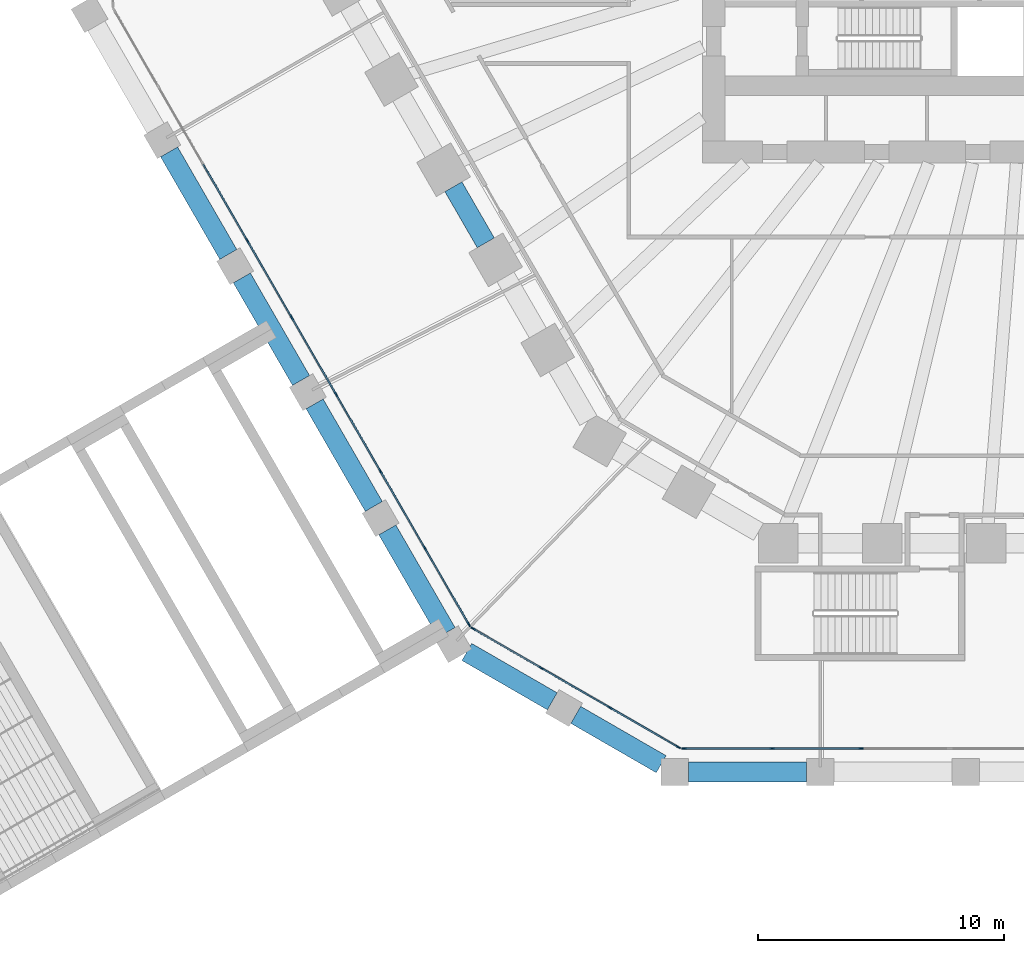
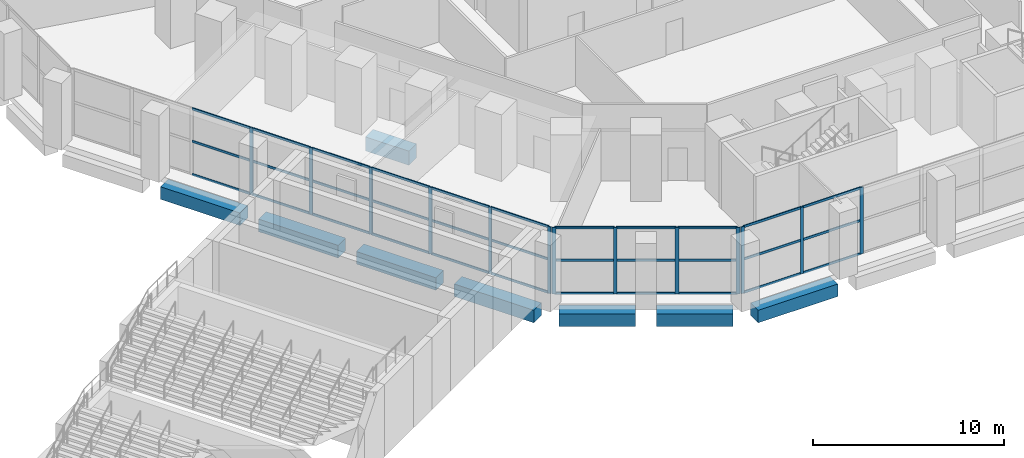
# One storey, part 2 of 38: 46 members, 8 beams, 3 elements without a shape of their own.
"""IFC4 building model written with IfcOpenShell, lengths in metres."""

import ifcopenshell
import ifcopenshell.guid

model = None  # the IFC model being written
_history = None  # IfcOwnerHistory: only IFC2X3 demands one
_inside = {}  # id of a spatial element -> (the spatial element, [elements in it])
_under = {}  # id of a project, library or spatial element -> (it, [spatial elements below it])
_declared = {}  # id of a project -> (the project, [libraries it declares])
_typed = {}  # id of a type object -> (the type object, [elements of that type])
_made_of = {}  # id of a material, layer set ... -> (it, [elements and type objects made of it])


def new_model(schema):
    """Start an empty IFC model of exactly this schema.

    Asked for "IFC4X3", IfcOpenShell would pick the latest addendum, in which some entities
    have other attributes; the version numbers below select the first issue.
    IFC2X3 requires an IfcOwnerHistory on every rooted entity: one is made here for all.
    """
    global model, _history
    if schema == "IFC4X3":
        model = ifcopenshell.file(schema_version=(4, 3, 0, 0))
    else:
        model = ifcopenshell.file(schema=schema)
    _inside.clear()
    _under.clear()
    _declared.clear()
    _typed.clear()
    _made_of.clear()
    _history = None
    if model.schema == "IFC2X3":
        org = make("IfcOrganization", Name="unknown")
        user = make(
            "IfcPersonAndOrganization",
            ThePerson=make("IfcPerson", FamilyName="unknown"),
            TheOrganization=org,
        )
        app = make(
            "IfcApplication",
            ApplicationDeveloper=org,
            Version="unknown",
            ApplicationFullName="unknown",
            ApplicationIdentifier="unknown",
        )
        _history = make(
            "IfcOwnerHistory",
            OwningUser=user,
            OwningApplication=app,
            ChangeAction="ADDED",
            CreationDate=0,
        )
    return model


def make(cls, **values):
    """One entity of the class cls with the attributes given. An attribute that is None is left unset."""
    return model.create_entity(
        cls, **{name: value for name, value in values.items() if value is not None}
    )


def rooted(cls, **values):
    """An entity with a GlobalId (a new one), such as an element, a storey or a relation."""
    return make(cls, GlobalId=ifcopenshell.guid.new(), OwnerHistory=_history, **values)


def si_unit(unit_type, name, prefix=None):
    """IfcSIUnit, for example si_unit("LENGTHUNIT", "METRE", prefix="MILLI")."""
    return make("IfcSIUnit", UnitType=unit_type, Prefix=prefix, Name=name)


def assignment(units):
    """IfcUnitAssignment: the units of a project."""
    return None if units is None else make("IfcUnitAssignment", Units=units)


def point(xyz):
    """IfcCartesianPoint."""
    return None if xyz is None else make("IfcCartesianPoint", Coordinates=xyz)


def direction(xyz):
    """IfcDirection."""
    return None if xyz is None else make("IfcDirection", DirectionRatios=xyz)


def frame(location, z_axis=None, x_axis=None):
    """IfcAxis2Placement3D, a coordinate frame: its origin and axes. An axis left out is left unset."""
    return make(
        "IfcAxis2Placement3D",
        Location=point(location),
        Axis=direction(z_axis),
        RefDirection=direction(x_axis),
    )


def frame_2d(location, x_axis=None):
    """IfcAxis2Placement2D, a coordinate frame in the plane: its origin and x axis."""
    return make(
        "IfcAxis2Placement2D", Location=point(location), RefDirection=direction(x_axis)
    )


def origin():
    """The frame at (0, 0, 0) with its axes left unset."""
    return frame((0.0, 0.0, 0.0))


def origin_2d():
    """The frame at (0, 0) in the plane with its x axis left unset."""
    return frame_2d((0.0, 0.0))


def place(relative_to, where):
    """IfcLocalPlacement: puts the frame where relative to a parent placement (None: the world)."""
    return make(
        "IfcLocalPlacement", PlacementRelTo=relative_to, RelativePlacement=where
    )


def context(
    kind, dimensions, precision=None, world=None, true_north=None, identifier=None
):
    """IfcGeometricRepresentationContext, for example the 3D "Model" context."""
    return make(
        "IfcGeometricRepresentationContext",
        ContextIdentifier=identifier,
        ContextType=kind,
        CoordinateSpaceDimension=dimensions,
        Precision=precision,
        WorldCoordinateSystem=world,
        TrueNorth=true_north,
    )


def subcontext(parent, identifier, kind, view, scale=None):
    """IfcGeometricRepresentationSubContext, for example "Body" below "Model"."""
    return make(
        "IfcGeometricRepresentationSubContext",
        ContextIdentifier=identifier,
        ContextType=kind,
        ParentContext=parent,
        TargetScale=scale,
        TargetView=view,
    )


def project(units=None, contexts=None):
    """IfcProject with its units and contexts."""
    return rooted(
        "IfcProject",
        Name="project",
        RepresentationContexts=contexts,
        UnitsInContext=assignment(units),
    )


def spatial(cls, under=None, at=None, **own):
    """A site, building, storey or space (cls), placed at a placement, below another one or the project."""
    s = rooted(cls, ObjectPlacement=at, **own)
    if under is not None:
        _under.setdefault(under.id(), (under, []))[1].append(s)
    return s


def profile(cls, at=None, kind="AREA", **sizes):
    """A parametric profile (cls). Its sizes go by their IFC names, for example OverallWidth=200.0."""
    return make(cls, ProfileType=kind, Position=at, **sizes)


def rectangle(**sizes):
    """IfcRectangleProfileDef."""
    return profile("IfcRectangleProfileDef", **sizes)


def extrude(swept, where, along, depth):
    """IfcExtrudedAreaSolid: the profile swept, set in the frame where, extruded along a direction by depth."""
    return make(
        "IfcExtrudedAreaSolid",
        SweptArea=swept,
        Position=where,
        ExtrudedDirection=direction(along),
        Depth=depth,
    )


def shape(context_of_items, identifier, shape_type, items):
    """IfcShapeRepresentation: the items that make up one representation, for example the "Body"."""
    return make(
        "IfcShapeRepresentation",
        ContextOfItems=context_of_items,
        RepresentationIdentifier=identifier,
        RepresentationType=shape_type,
        Items=items,
    )


def material(Name=None, Category=None):
    """IfcMaterial."""
    return make("IfcMaterial", Name=Name, Category=Category)


def material_profile(
    of_material, cross_section, Name=None, Category=None, Priority=None
):
    """IfcMaterialProfile: a cross section and its material."""
    return make(
        "IfcMaterialProfile",
        Name=Name,
        Material=of_material,
        Profile=cross_section,
        Priority=Priority,
        Category=Category,
    )


def profile_set(profiles, Name=None, composite=None):
    """IfcMaterialProfileSet."""
    return make(
        "IfcMaterialProfileSet",
        Name=Name,
        MaterialProfiles=profiles,
        CompositeProfile=composite,
    )


def made_of(thing, what):
    """Note that an element or type object is made of a material, layer set ...; save() writes the relation."""
    if what is not None:
        _made_of.setdefault(what.id(), (what, []))[1].append(thing)
    return thing


def type_object(cls, material=None, **own):
    """A type object (cls), such as IfcWallType, which elements share."""
    return made_of(rooted(cls, **own), material)


def element(
    cls,
    number,
    at=None,
    inside=None,
    cuts=None,
    type_object=None,
    material=None,
    context=None,
    identifier="Body",
    shape_type=None,
    held_by="IfcProductDefinitionShape",
    body=None,
    shapes=None,
    **own,
):
    """One element of the class cls, such as IfcWall. Its Tag is "e" and its number.

    at: its placement. inside: the storey or other place that contains it. cuts: it is an
    opening in that element (IfcRelVoidsElement). A single representation is given by context,
    identifier, shape_type and body (its items); several are given by shapes. held_by: the class
    of the entity that holds the representations. save() writes the other relations.
    """
    e = rooted(cls, Tag="e%d" % number, ObjectPlacement=at, **own)
    if body is not None:
        shapes = [shape(context, identifier, shape_type, body)]
    if shapes is not None:
        e.Representation = make(held_by, Representations=shapes)
    if inside is not None:
        _inside.setdefault(inside.id(), (inside, []))[1].append(e)
    if cuts is not None:
        rooted(
            "IfcRelVoidsElement", RelatingBuildingElement=cuts, RelatedOpeningElement=e
        )
    if type_object is not None:
        _typed.setdefault(type_object.id(), (type_object, []))[1].append(e)
    return made_of(e, material)


def aggregate(whole, parts):
    """IfcRelAggregates: a whole, such as a stair, and the parts it consists of."""
    return rooted("IfcRelAggregates", RelatingObject=whole, RelatedObjects=parts)


def save(model, path):
    """Write the relations noted so far, then the file.

    IfcRelAggregates (storeys below a building ...), IfcRelContainedInSpatialStructure (elements
    in a storey), IfcRelDefinesByType, IfcRelAssociatesMaterial and IfcRelDeclares: one each for
    every whole, place, type object, material and project.
    """
    for whole, parts in _under.values():
        aggregate(whole, parts)
    for where, things in _inside.values():
        rooted(
            "IfcRelContainedInSpatialStructure",
            RelatedElements=things,
            RelatingStructure=where,
        )
    for kind, things in _typed.values():
        rooted("IfcRelDefinesByType", RelatedObjects=things, RelatingType=kind)
    for what, things in _made_of.values():
        rooted("IfcRelAssociatesMaterial", RelatedObjects=things, RelatingMaterial=what)
    for by, libraries in _declared.values():
        rooted("IfcRelDeclares", RelatingContext=by, RelatedDefinitions=libraries)
    model.write(path)


model = new_model("IFC4")

# Units and contexts
model_context = context("Model", 3, precision=1e-05, world=origin(), true_north=direction((0.0, 1.0)))
body_context = subcontext(model_context, "Body", "Model", "MODEL_VIEW")
ifc_project = project(units=[si_unit("LENGTHUNIT", "METRE"), si_unit("AREAUNIT", "SQUARE_METRE"), si_unit("VOLUMEUNIT", "CUBIC_METRE"), si_unit("PLANEANGLEUNIT", "RADIAN"), si_unit("MASSUNIT", "GRAM", prefix="KILO")], contexts=[model_context])

# Site, building, storey
site_placement = place(None, origin())
site = spatial("IfcSite", under=ifc_project, at=site_placement, CompositionType="ELEMENT")
building_placement = place(site_placement, origin())
building = spatial("IfcBuilding", under=site, at=building_placement, Name="Frailejon Research Tower", CompositionType="ELEMENT")
storey_placement = place(building_placement, frame((0.0, 0.0, 5.60009765625)))
storey = spatial("IfcBuildingStorey", under=building, at=storey_placement, Name="L01", CompositionType="ELEMENT", Elevation=5.60009765625)

# Beams
ifc_material_1 = material(Name="Concrete C60/75", Category="concrete")
ifc_material_profile_1 = material_profile(ifc_material_1, rectangle(XDim=0.800048828125, YDim=0.800048828125, at=origin_2d()), Name="Base ring beam")
ifc_profile_set_1 = profile_set([ifc_material_profile_1], Name="Concrete C60/75")
beam_type_1 = type_object("IfcBeamType", Name="Base ring beam", PredefinedType="BEAM", material=ifc_profile_set_1)
for number, where, z_axis, x_axis, name in (
    (1, (-35.33740234375, -10.7939453125, -0.75), (0.50000634465, -0.866021740668, 0.0), (0.866021740668, 0.50000634465, 0.0), "Base ring beam"),
    (2, (-32.38037109375, -15.91552734375, -0.75), (0.50000634465, -0.866021740668, 0.0), (0.866021740668, 0.50000634465, 0.0), "Base ring beam"),
    (3, (-29.423583984375, -21.037109375, -0.75), (0.50000634465, -0.866021740668, 0.0), (0.866021740668, 0.50000634465, 0.0), "Base ring beam"),
):
    element("IfcBeam", number, at=place(storey_placement, frame(where, z_axis=z_axis, x_axis=x_axis)), inside=storey, type_object=beam_type_1, Name=name, PredefinedType="BEAM", context=body_context, shape_type="SweptSolid", body=[
        extrude(rectangle(XDim=0.800048828125, YDim=0.800048828125, at=origin_2d()), origin(), (0.0, 0.0, 1.0), 4.81396484375),
    ])
beam_1_placement = place(storey_placement, frame((-26.466552734375, -26.15869140625, -0.75), z_axis=(0.500028306193, -0.866009060579, 0.0), x_axis=(0.866009060579, 0.500028306193, 0.0)))
element("IfcBeam", 4, at=beam_1_placement, inside=storey, type_object=beam_type_1, Name="Base ring beam", PredefinedType="BEAM", context=body_context, shape_type="SweptSolid", body=[
    extrude(rectangle(XDim=0.800048828125, YDim=0.800048828125, at=origin_2d()), origin(), (0.0, 0.0, 1.0), 4.813720703125),
])
for number, where, z_axis, x_axis, name in (
    (5, (-23.234619140625, -31.121337890625, -0.75), (0.866013269967, -0.500021015799, 0.0), (0.500021015799, 0.866013269967, 0.0), "Base ring beam"),
    (6, (-18.808349609375, -33.677001953125, -0.75), (0.866013269967, -0.500021015799, 0.0), (0.500021015799, 0.866013269967, 0.0), "Base ring beam"),
):
    element("IfcBeam", number, at=place(storey_placement, frame(where, z_axis=z_axis, x_axis=x_axis)), inside=storey, type_object=beam_type_1, Name=name, PredefinedType="BEAM", context=body_context, shape_type="SweptSolid", body=[
        extrude(rectangle(XDim=0.800048828125, YDim=0.800048828125, at=origin_2d()), origin(), (0.0, 0.0, 1.0), 4.010986328125),
    ])
beam_2_placement = place(storey_placement, frame((-14.234619140625, -36.0, -0.75), z_axis=(1.0, 0.0, 0.0), x_axis=(0.0, 1.0, 0.0)))
element("IfcBeam", 7, at=beam_2_placement, inside=storey, type_object=beam_type_1, Name="Base ring beam", PredefinedType="BEAM", context=body_context, shape_type="SweptSolid", body=[
    extrude(rectangle(XDim=0.800048828125, YDim=0.800048828125, at=origin_2d()), origin(), (0.0, 0.0, 1.0), 4.813720703125),
])
ifc_material_2 = material(Name="Concrete C60/75", Category="concrete")
ifc_material_profile_2 = material_profile(ifc_material_2, rectangle(XDim=0.800048828125, YDim=0.89990234375, at=origin_2d()), Name="Podium ring beam")
ifc_profile_set_2 = profile_set([ifc_material_profile_2], Name="Concrete C60/75")
beam_type_2 = type_object("IfcBeamType", Name="Podium ring beam", PredefinedType="BEAM", material=ifc_profile_set_2)
beam_3_placement = place(storey_placement, frame((-23.781005859375, -12.210205078125, -0.800048828125), z_axis=(0.500019514865, -0.866014136579, 0.0), x_axis=(0.866014136579, 0.500019514865, 0.0)))
element("IfcBeam", 8, at=beam_3_placement, inside=storey, type_object=beam_type_2, Name="Podium ring beam", PredefinedType="BEAM", context=body_context, shape_type="SweptSolid", body=[
    extrude(rectangle(XDim=0.800048828125, YDim=0.89990234375, at=origin_2d()), origin(), (0.0, 0.0, 1.0), 2.63232421875),
])

# Curtain wall, members
ifc_material_3 = material(Name="Aluminium curtain wall", Category="aluminium")
curtain_wall_type = type_object("IfcCurtainWallType", Name="Podium stick curtain wall system", PredefinedType="NOTDEFINED", material=ifc_material_3)
curtain_wall_1_placement = place(storey_placement, origin())
curtain_wall_1 = element("IfcCurtainWall", 9, at=curtain_wall_1_placement, inside=storey, type_object=curtain_wall_type, Name="Curtain wall L01", PredefinedType="NOTDEFINED")
ifc_material_4 = material(Name="Aluminium extrusion", Category="aluminium")
ifc_material_profile_3 = material_profile(ifc_material_4, rectangle(XDim=0.06005859375, YDim=0.199951171875, at=origin_2d()), Name="Podium stick curtain wall mullion 60x200")
ifc_profile_set_3 = profile_set([ifc_material_profile_3], Name="Aluminium extrusion")
member_type_1 = type_object("IfcMemberType", Name="Podium stick curtain wall mullion 60x200", PredefinedType="MULLION", material=ifc_profile_set_3)
member_1_placement = place(storey_placement, frame((-32.157958984375, -14.40087890625, 0.0), z_axis=(0.0, 0.0, 1.0), x_axis=(0.86602632934, 0.499998396888, 0.0)))
member_1 = element("IfcMember", 10, at=member_1_placement, type_object=member_type_1, Name="CW2-028 mullion 4", PredefinedType="MULLION", context=body_context, shape_type="SweptSolid", body=[
    extrude(rectangle(XDim=0.06005859375, YDim=0.199951171875, at=origin_2d()), origin(), (0.0, 0.0, 1.0), 4.25),
])
member_2_placement = place(storey_placement, frame((-30.354248046875, -17.52490234375, 0.0), z_axis=(0.0, 0.0, 1.0), x_axis=(0.86602632934, 0.499998396888, 0.0)))
member_2 = element("IfcMember", 11, at=member_2_placement, type_object=member_type_1, Name="CW2-028 mullion 5", PredefinedType="MULLION", context=body_context, shape_type="SweptSolid", body=[
    extrude(rectangle(XDim=0.06005859375, YDim=0.199951171875, at=origin_2d()), origin(), (0.0, 0.0, 1.0), 4.25),
])
member_3_placement = place(storey_placement, frame((-28.550537109375, -20.649169921875, 0.0), z_axis=(0.0, 0.0, 1.0), x_axis=(0.86602632934, 0.499998396888, 0.0)))
member_3 = element("IfcMember", 12, at=member_3_placement, type_object=member_type_1, Name="CW2-028 mullion 6", PredefinedType="MULLION", context=body_context, shape_type="SweptSolid", body=[
    extrude(rectangle(XDim=0.06005859375, YDim=0.199951171875, at=origin_2d()), origin(), (0.0, 0.0, 1.0), 4.25),
])
member_4_placement = place(storey_placement, frame((-26.74658203125, -23.7734375, 0.0), z_axis=(0.0, 0.0, 1.0), x_axis=(0.86602632934, 0.499998396888, 0.0)))
member_4 = element("IfcMember", 13, at=member_4_placement, type_object=member_type_1, Name="CW2-028 mullion 7", PredefinedType="MULLION", context=body_context, shape_type="SweptSolid", body=[
    extrude(rectangle(XDim=0.06005859375, YDim=0.199951171875, at=origin_2d()), origin(), (0.0, 0.0, 1.0), 4.25),
])
member_5_placement = place(storey_placement, frame((-24.94287109375, -26.897705078125, 0.0), z_axis=(0.0, 0.0, 1.0), x_axis=(0.86602632934, 0.499998396888, 0.0)))
member_5 = element("IfcMember", 14, at=member_5_placement, type_object=member_type_1, Name="CW2-028 mullion 8", PredefinedType="MULLION", context=body_context, shape_type="SweptSolid", body=[
    extrude(rectangle(XDim=0.06005859375, YDim=0.199951171875, at=origin_2d()), origin(), (0.0, 0.0, 1.0), 4.25),
])
member_6_placement = place(storey_placement, frame((-23.154296875, -29.995849609375, 0.0), z_axis=(0.0, 0.0, 1.0), x_axis=(0.86602632934, 0.499998396888, 0.0)))
member_6 = element("IfcMember", 15, at=member_6_placement, type_object=member_type_1, Name="CW2-028 mullion 9", PredefinedType="MULLION", context=body_context, shape_type="SweptSolid", body=[
    extrude(rectangle(XDim=0.06005859375, YDim=0.199951171875, at=origin_2d()), origin(), (0.0, 0.0, 1.0), 4.25),
])

curtain_wall_2_placement = place(storey_placement, origin())
curtain_wall_2 = element("IfcCurtainWall", 16, at=curtain_wall_2_placement, inside=storey, type_object=curtain_wall_type, Name="Curtain wall L01", PredefinedType="NOTDEFINED")
member_7_placement = place(storey_placement, frame((-22.9765625, -30.17333984375, 0.0), z_axis=(0.0, 0.0, 1.0), x_axis=(0.499999874334, 0.866025476338, 0.0)))
member_7 = element("IfcMember", 17, at=member_7_placement, type_object=member_type_1, Name="CW2-029 mullion 1", PredefinedType="MULLION", context=body_context, shape_type="SweptSolid", body=[
    extrude(rectangle(XDim=0.06005859375, YDim=0.199951171875, at=origin_2d()), origin(), (0.0, 0.0, 1.0), 4.25),
])
member_8_placement = place(storey_placement, frame((-20.207275390625, -31.772216796875, 0.0), z_axis=(0.0, 0.0, 1.0), x_axis=(0.499999874334, 0.866025476338, 0.0)))
member_8 = element("IfcMember", 18, at=member_8_placement, type_object=member_type_1, Name="CW2-029 mullion 2", PredefinedType="MULLION", context=body_context, shape_type="SweptSolid", body=[
    extrude(rectangle(XDim=0.06005859375, YDim=0.199951171875, at=origin_2d()), origin(), (0.0, 0.0, 1.0), 4.25),
])
member_9_placement = place(storey_placement, frame((-17.412109375, -33.38623046875, 0.0), z_axis=(0.0, 0.0, 1.0), x_axis=(0.499999874334, 0.866025476338, 0.0)))
member_9 = element("IfcMember", 19, at=member_9_placement, type_object=member_type_1, Name="CW2-029 mullion 3", PredefinedType="MULLION", context=body_context, shape_type="SweptSolid", body=[
    extrude(rectangle(XDim=0.06005859375, YDim=0.199951171875, at=origin_2d()), origin(), (0.0, 0.0, 1.0), 4.25),
])
member_10_placement = place(storey_placement, frame((-14.642578125, -34.985107421875, 0.0), z_axis=(0.0, 0.0, 1.0), x_axis=(0.499999874334, 0.866025476338, 0.0)))
member_10 = element("IfcMember", 20, at=member_10_placement, type_object=member_type_1, Name="CW2-029 mullion 4", PredefinedType="MULLION", context=body_context, shape_type="SweptSolid", body=[
    extrude(rectangle(XDim=0.06005859375, YDim=0.199951171875, at=origin_2d()), origin(), (0.0, 0.0, 1.0), 4.25),
])

curtain_wall_3_placement = place(storey_placement, origin())
curtain_wall_3 = element("IfcCurtainWall", 21, at=curtain_wall_3_placement, inside=storey, type_object=curtain_wall_type, Name="Curtain wall L01", PredefinedType="NOTDEFINED")
member_11_placement = place(storey_placement, frame((-14.400146484375, -35.050048828125, 0.0), z_axis=(0.0, 0.0, 1.0), x_axis=(0.0, 1.0, 0.0)))
member_11 = element("IfcMember", 22, at=member_11_placement, type_object=member_type_1, Name="CW2-030 mullion 1", PredefinedType="MULLION", context=body_context, shape_type="SweptSolid", body=[
    extrude(rectangle(XDim=0.06005859375, YDim=0.199951171875, at=origin_2d()), origin(), (0.0, 0.0, 1.0), 4.25),
])
member_12_placement = place(storey_placement, frame((-10.822509765625, -35.050048828125, 0.0), z_axis=(0.0, 0.0, 1.0), x_axis=(0.0, 1.0, 0.0)))
member_12 = element("IfcMember", 23, at=member_12_placement, type_object=member_type_1, Name="CW2-030 mullion 2", PredefinedType="MULLION", context=body_context, shape_type="SweptSolid", body=[
    extrude(rectangle(XDim=0.06005859375, YDim=0.199951171875, at=origin_2d()), origin(), (0.0, 0.0, 1.0), 4.25),
])
member_13_placement = place(storey_placement, frame((-7.215087890625, -35.050048828125, 0.0), z_axis=(0.0, 0.0, 1.0), x_axis=(0.0, 1.0, 0.0)))
member_13 = element("IfcMember", 24, at=member_13_placement, type_object=member_type_1, Name="CW2-030 mullion 3", PredefinedType="MULLION", context=body_context, shape_type="SweptSolid", body=[
    extrude(rectangle(XDim=0.06005859375, YDim=0.199951171875, at=origin_2d()), origin(), (0.0, 0.0, 1.0), 4.25),
])

# Member
ifc_material_5 = material(Name="Aluminium extrusion", Category="aluminium")
ifc_material_profile_4 = material_profile(ifc_material_5, rectangle(XDim=0.06005859375, YDim=0.14990234375, at=origin_2d()), Name="Podium stick curtain wall transom 60x150")
ifc_profile_set_4 = profile_set([ifc_material_profile_4], Name="Aluminium extrusion")
member_type_2 = type_object("IfcMemberType", Name="Podium stick curtain wall transom 60x150", PredefinedType="USERDEFINED", material=ifc_profile_set_4)
member_14_placement = place(storey_placement, frame((-33.94677734375, -11.302490234375, 0.02978515625), z_axis=(0.500032217487, -0.86600680221, 0.0), x_axis=(0.86600680221, 0.500032217487, 0.0)))
member_14 = element("IfcMember", 25, at=member_14_placement, type_object=member_type_2, Name="CW2-028 transom 3.1", ObjectType="TRANSOM", PredefinedType="USERDEFINED", context=body_context, shape_type="SweptSolid", body=[
    extrude(rectangle(XDim=0.06005859375, YDim=0.14990234375, at=origin_2d()), origin(), (0.0, 0.0, 1.0), 3.547607421875),
])

member_15_placement = place(storey_placement, frame((-33.94677734375, -11.302490234375, 2.14990234375), z_axis=(0.500032217487, -0.86600680221, 0.0), x_axis=(0.86600680221, 0.500032217487, 0.0)))
member_15 = element("IfcMember", 26, at=member_15_placement, type_object=member_type_2, Name="CW2-028 transom 3.2", ObjectType="TRANSOM", PredefinedType="USERDEFINED", context=body_context, shape_type="SweptSolid", body=[
    extrude(rectangle(XDim=0.06005859375, YDim=0.14990234375, at=origin_2d()), origin(), (0.0, 0.0, 1.0), 3.547607421875),
])

member_16_placement = place(storey_placement, frame((-33.94677734375, -11.302490234375, 4.219970703125), z_axis=(0.500032217487, -0.86600680221, 0.0), x_axis=(0.86600680221, 0.500032217487, 0.0)))
member_16 = element("IfcMember", 27, at=member_16_placement, type_object=member_type_2, Name="CW2-028 transom 3.3", ObjectType="TRANSOM", PredefinedType="USERDEFINED", context=body_context, shape_type="SweptSolid", body=[
    extrude(rectangle(XDim=0.06005859375, YDim=0.14990234375, at=origin_2d()), origin(), (0.0, 0.0, 1.0), 3.547607421875),
])

member_17_placement = place(storey_placement, frame((-32.14306640625, -14.4267578125, 0.02978515625), z_axis=(0.500032217487, -0.86600680221, 0.0), x_axis=(0.86600680221, 0.500032217487, 0.0)))
member_17 = element("IfcMember", 28, at=member_17_placement, type_object=member_type_2, Name="CW2-028 transom 4.1", ObjectType="TRANSOM", PredefinedType="USERDEFINED", context=body_context, shape_type="SweptSolid", body=[
    extrude(rectangle(XDim=0.06005859375, YDim=0.14990234375, at=origin_2d()), origin(), (0.0, 0.0, 1.0), 3.547607421875),
])

member_18_placement = place(storey_placement, frame((-32.14306640625, -14.4267578125, 2.14990234375), z_axis=(0.500032217487, -0.86600680221, 0.0), x_axis=(0.86600680221, 0.500032217487, 0.0)))
member_18 = element("IfcMember", 29, at=member_18_placement, type_object=member_type_2, Name="CW2-028 transom 4.2", ObjectType="TRANSOM", PredefinedType="USERDEFINED", context=body_context, shape_type="SweptSolid", body=[
    extrude(rectangle(XDim=0.06005859375, YDim=0.14990234375, at=origin_2d()), origin(), (0.0, 0.0, 1.0), 3.547607421875),
])

member_19_placement = place(storey_placement, frame((-32.14306640625, -14.4267578125, 4.219970703125), z_axis=(0.500032217487, -0.86600680221, 0.0), x_axis=(0.86600680221, 0.500032217487, 0.0)))
member_19 = element("IfcMember", 30, at=member_19_placement, type_object=member_type_2, Name="CW2-028 transom 4.3", ObjectType="TRANSOM", PredefinedType="USERDEFINED", context=body_context, shape_type="SweptSolid", body=[
    extrude(rectangle(XDim=0.06005859375, YDim=0.14990234375, at=origin_2d()), origin(), (0.0, 0.0, 1.0), 3.547607421875),
])

member_20_placement = place(storey_placement, frame((-30.339111328125, -17.551025390625, 0.02978515625), z_axis=(0.499980603476, -0.866036602083, 0.0), x_axis=(0.866036602083, 0.499980603476, 0.0)))
member_20 = element("IfcMember", 31, at=member_20_placement, type_object=member_type_2, Name="CW2-028 transom 5.1", ObjectType="TRANSOM", PredefinedType="USERDEFINED", context=body_context, shape_type="SweptSolid", body=[
    extrude(rectangle(XDim=0.06005859375, YDim=0.14990234375, at=origin_2d()), origin(), (0.0, 0.0, 1.0), 3.547607421875),
])

member_21_placement = place(storey_placement, frame((-30.339111328125, -17.551025390625, 2.14990234375), z_axis=(0.499980603476, -0.866036602083, 0.0), x_axis=(0.866036602083, 0.499980603476, 0.0)))
member_21 = element("IfcMember", 32, at=member_21_placement, type_object=member_type_2, Name="CW2-028 transom 5.2", ObjectType="TRANSOM", PredefinedType="USERDEFINED", context=body_context, shape_type="SweptSolid", body=[
    extrude(rectangle(XDim=0.06005859375, YDim=0.14990234375, at=origin_2d()), origin(), (0.0, 0.0, 1.0), 3.547607421875),
])

member_22_placement = place(storey_placement, frame((-30.339111328125, -17.551025390625, 4.219970703125), z_axis=(0.499980603476, -0.866036602083, 0.0), x_axis=(0.866036602083, 0.499980603476, 0.0)))
member_22 = element("IfcMember", 33, at=member_22_placement, type_object=member_type_2, Name="CW2-028 transom 5.3", ObjectType="TRANSOM", PredefinedType="USERDEFINED", context=body_context, shape_type="SweptSolid", body=[
    extrude(rectangle(XDim=0.06005859375, YDim=0.14990234375, at=origin_2d()), origin(), (0.0, 0.0, 1.0), 3.547607421875),
])

member_23_placement = place(storey_placement, frame((-28.535400390625, -20.67529296875, 0.02978515625), z_axis=(0.500010404316, -0.866019396766, 0.0), x_axis=(0.866019396766, 0.500010404316, 0.0)))
member_23 = element("IfcMember", 34, at=member_23_placement, type_object=member_type_2, Name="CW2-028 transom 6.1", ObjectType="TRANSOM", PredefinedType="USERDEFINED", context=body_context, shape_type="SweptSolid", body=[
    extrude(rectangle(XDim=0.06005859375, YDim=0.14990234375, at=origin_2d()), origin(), (0.0, 0.0, 1.0), 3.54736328125),
])

member_24_placement = place(storey_placement, frame((-28.535400390625, -20.67529296875, 2.14990234375), z_axis=(0.500010404316, -0.866019396766, 0.0), x_axis=(0.866019396766, 0.500010404316, 0.0)))
member_24 = element("IfcMember", 35, at=member_24_placement, type_object=member_type_2, Name="CW2-028 transom 6.2", ObjectType="TRANSOM", PredefinedType="USERDEFINED", context=body_context, shape_type="SweptSolid", body=[
    extrude(rectangle(XDim=0.06005859375, YDim=0.14990234375, at=origin_2d()), origin(), (0.0, 0.0, 1.0), 3.54736328125),
])

member_25_placement = place(storey_placement, frame((-28.535400390625, -20.67529296875, 4.219970703125), z_axis=(0.500010404316, -0.866019396766, 0.0), x_axis=(0.866019396766, 0.500010404316, 0.0)))
member_25 = element("IfcMember", 36, at=member_25_placement, type_object=member_type_2, Name="CW2-028 transom 6.3", ObjectType="TRANSOM", PredefinedType="USERDEFINED", context=body_context, shape_type="SweptSolid", body=[
    extrude(rectangle(XDim=0.06005859375, YDim=0.14990234375, at=origin_2d()), origin(), (0.0, 0.0, 1.0), 3.54736328125),
])

member_26_placement = place(storey_placement, frame((-26.731689453125, -23.79931640625, 0.02978515625), z_axis=(0.499980603476, -0.866036602083, 0.0), x_axis=(0.866036602083, 0.499980603476, 0.0)))
member_26 = element("IfcMember", 37, at=member_26_placement, type_object=member_type_2, Name="CW2-028 transom 7.1", ObjectType="TRANSOM", PredefinedType="USERDEFINED", context=body_context, shape_type="SweptSolid", body=[
    extrude(rectangle(XDim=0.06005859375, YDim=0.14990234375, at=origin_2d()), origin(), (0.0, 0.0, 1.0), 3.547607421875),
])

member_27_placement = place(storey_placement, frame((-26.731689453125, -23.79931640625, 2.14990234375), z_axis=(0.499980603476, -0.866036602083, 0.0), x_axis=(0.866036602083, 0.499980603476, 0.0)))
member_27 = element("IfcMember", 38, at=member_27_placement, type_object=member_type_2, Name="CW2-028 transom 7.2", ObjectType="TRANSOM", PredefinedType="USERDEFINED", context=body_context, shape_type="SweptSolid", body=[
    extrude(rectangle(XDim=0.06005859375, YDim=0.14990234375, at=origin_2d()), origin(), (0.0, 0.0, 1.0), 3.547607421875),
])

member_28_placement = place(storey_placement, frame((-26.731689453125, -23.79931640625, 4.219970703125), z_axis=(0.499980603476, -0.866036602083, 0.0), x_axis=(0.866036602083, 0.499980603476, 0.0)))
member_28 = element("IfcMember", 39, at=member_28_placement, type_object=member_type_2, Name="CW2-028 transom 7.3", ObjectType="TRANSOM", PredefinedType="USERDEFINED", context=body_context, shape_type="SweptSolid", body=[
    extrude(rectangle(XDim=0.06005859375, YDim=0.14990234375, at=origin_2d()), origin(), (0.0, 0.0, 1.0), 3.547607421875),
])

member_29_placement = place(storey_placement, frame((-24.927978515625, -26.923583984375, 0.02978515625), z_axis=(0.500020858477, -0.866013360802, 0.0), x_axis=(0.866013360802, 0.500020858477, 0.0)))
member_29 = element("IfcMember", 40, at=member_29_placement, type_object=member_type_2, Name="CW2-028 transom 8.1", ObjectType="TRANSOM", PredefinedType="USERDEFINED", context=body_context, shape_type="SweptSolid", body=[
    extrude(rectangle(XDim=0.06005859375, YDim=0.14990234375, at=origin_2d()), origin(), (0.0, 0.0, 1.0), 3.517333984375),
])

member_30_placement = place(storey_placement, frame((-24.927978515625, -26.923583984375, 2.14990234375), z_axis=(0.500020858477, -0.866013360802, 0.0), x_axis=(0.866013360802, 0.500020858477, 0.0)))
member_30 = element("IfcMember", 41, at=member_30_placement, type_object=member_type_2, Name="CW2-028 transom 8.2", ObjectType="TRANSOM", PredefinedType="USERDEFINED", context=body_context, shape_type="SweptSolid", body=[
    extrude(rectangle(XDim=0.06005859375, YDim=0.14990234375, at=origin_2d()), origin(), (0.0, 0.0, 1.0), 3.517333984375),
])

member_31_placement = place(storey_placement, frame((-24.927978515625, -26.923583984375, 4.219970703125), z_axis=(0.500020858477, -0.866013360802, 0.0), x_axis=(0.866013360802, 0.500020858477, 0.0)))
member_31 = element("IfcMember", 42, at=member_31_placement, type_object=member_type_2, Name="CW2-028 transom 8.3", ObjectType="TRANSOM", PredefinedType="USERDEFINED", context=body_context, shape_type="SweptSolid", body=[
    extrude(rectangle(XDim=0.06005859375, YDim=0.14990234375, at=origin_2d()), origin(), (0.0, 0.0, 1.0), 3.517333984375),
])

aggregate(curtain_wall_1, [member_1, member_2, member_3, member_4, member_5, member_6, member_14, member_15, member_16, member_17, member_18, member_19, member_20, member_21, member_22, member_23, member_24, member_25, member_26, member_27, member_28, member_29, member_30, member_31])

member_32_placement = place(storey_placement, frame((-22.95068359375, -30.1884765625, 0.02978515625), z_axis=(0.866022320763, -0.500005339912, 0.0), x_axis=(0.500005339912, 0.866022320763, 0.0)))
member_32 = element("IfcMember", 43, at=member_32_placement, type_object=member_type_2, Name="CW2-029 transom 1.1", ObjectType="TRANSOM", PredefinedType="USERDEFINED", context=body_context, shape_type="SweptSolid", body=[
    extrude(rectangle(XDim=0.06005859375, YDim=0.14990234375, at=origin_2d()), origin(), (0.0, 0.0, 1.0), 3.1376953125),
])

member_33_placement = place(storey_placement, frame((-22.95068359375, -30.1884765625, 2.14990234375), z_axis=(0.866022320763, -0.500005339912, 0.0), x_axis=(0.500005339912, 0.866022320763, 0.0)))
member_33 = element("IfcMember", 44, at=member_33_placement, type_object=member_type_2, Name="CW2-029 transom 1.2", ObjectType="TRANSOM", PredefinedType="USERDEFINED", context=body_context, shape_type="SweptSolid", body=[
    extrude(rectangle(XDim=0.06005859375, YDim=0.14990234375, at=origin_2d()), origin(), (0.0, 0.0, 1.0), 3.1376953125),
])

member_34_placement = place(storey_placement, frame((-22.95068359375, -30.1884765625, 4.219970703125), z_axis=(0.866022320763, -0.500005339912, 0.0), x_axis=(0.500005339912, 0.866022320763, 0.0)))
member_34 = element("IfcMember", 45, at=member_34_placement, type_object=member_type_2, Name="CW2-029 transom 1.3", ObjectType="TRANSOM", PredefinedType="USERDEFINED", context=body_context, shape_type="SweptSolid", body=[
    extrude(rectangle(XDim=0.06005859375, YDim=0.14990234375, at=origin_2d()), origin(), (0.0, 0.0, 1.0), 3.1376953125),
])

member_35_placement = place(storey_placement, frame((-20.181396484375, -31.787353515625, 0.02978515625), z_axis=(0.866048262394, -0.499960405637, 0.0), x_axis=(0.499960405637, 0.866048262394, 0.0)))
member_35 = element("IfcMember", 46, at=member_35_placement, type_object=member_type_2, Name="CW2-029 transom 2.1", ObjectType="TRANSOM", PredefinedType="USERDEFINED", context=body_context, shape_type="SweptSolid", body=[
    extrude(rectangle(XDim=0.06005859375, YDim=0.14990234375, at=origin_2d()), origin(), (0.0, 0.0, 1.0), 3.167724609375),
])

member_36_placement = place(storey_placement, frame((-20.181396484375, -31.787353515625, 2.14990234375), z_axis=(0.866048262394, -0.499960405637, 0.0), x_axis=(0.499960405637, 0.866048262394, 0.0)))
member_36 = element("IfcMember", 47, at=member_36_placement, type_object=member_type_2, Name="CW2-029 transom 2.2", ObjectType="TRANSOM", PredefinedType="USERDEFINED", context=body_context, shape_type="SweptSolid", body=[
    extrude(rectangle(XDim=0.06005859375, YDim=0.14990234375, at=origin_2d()), origin(), (0.0, 0.0, 1.0), 3.167724609375),
])

member_37_placement = place(storey_placement, frame((-20.181396484375, -31.787353515625, 4.219970703125), z_axis=(0.866048262394, -0.499960405637, 0.0), x_axis=(0.499960405637, 0.866048262394, 0.0)))
member_37 = element("IfcMember", 48, at=member_37_placement, type_object=member_type_2, Name="CW2-029 transom 2.3", ObjectType="TRANSOM", PredefinedType="USERDEFINED", context=body_context, shape_type="SweptSolid", body=[
    extrude(rectangle(XDim=0.06005859375, YDim=0.14990234375, at=origin_2d()), origin(), (0.0, 0.0, 1.0), 3.167724609375),
])

member_38_placement = place(storey_placement, frame((-17.385986328125, -33.401123046875, 0.02978515625), z_axis=(0.866022320763, -0.500005339912, 0.0), x_axis=(0.500005339912, 0.866022320763, 0.0)))
member_38 = element("IfcMember", 49, at=member_38_placement, type_object=member_type_2, Name="CW2-029 transom 3.1", ObjectType="TRANSOM", PredefinedType="USERDEFINED", context=body_context, shape_type="SweptSolid", body=[
    extrude(rectangle(XDim=0.06005859375, YDim=0.14990234375, at=origin_2d()), origin(), (0.0, 0.0, 1.0), 3.1376953125),
])

member_39_placement = place(storey_placement, frame((-17.385986328125, -33.401123046875, 2.14990234375), z_axis=(0.866022320763, -0.500005339912, 0.0), x_axis=(0.500005339912, 0.866022320763, 0.0)))
member_39 = element("IfcMember", 50, at=member_39_placement, type_object=member_type_2, Name="CW2-029 transom 3.2", ObjectType="TRANSOM", PredefinedType="USERDEFINED", context=body_context, shape_type="SweptSolid", body=[
    extrude(rectangle(XDim=0.06005859375, YDim=0.14990234375, at=origin_2d()), origin(), (0.0, 0.0, 1.0), 3.1376953125),
])

member_40_placement = place(storey_placement, frame((-17.385986328125, -33.401123046875, 4.219970703125), z_axis=(0.866022320763, -0.500005339912, 0.0), x_axis=(0.500005339912, 0.866022320763, 0.0)))
member_40 = element("IfcMember", 51, at=member_40_placement, type_object=member_type_2, Name="CW2-029 transom 3.3", ObjectType="TRANSOM", PredefinedType="USERDEFINED", context=body_context, shape_type="SweptSolid", body=[
    extrude(rectangle(XDim=0.06005859375, YDim=0.14990234375, at=origin_2d()), origin(), (0.0, 0.0, 1.0), 3.1376953125),
])

aggregate(curtain_wall_2, [member_7, member_8, member_9, member_10, member_32, member_33, member_34, member_35, member_36, member_37, member_38, member_39, member_40])

member_41_placement = place(storey_placement, frame((-14.3701171875, -35.050048828125, 0.02978515625), z_axis=(1.0, 0.0, 0.0), x_axis=(0.0, 1.0, 0.0)))
member_41 = element("IfcMember", 52, at=member_41_placement, type_object=member_type_2, Name="CW2-030 transom 1.1", ObjectType="TRANSOM", PredefinedType="USERDEFINED", context=body_context, shape_type="SweptSolid", body=[
    extrude(rectangle(XDim=0.06005859375, YDim=0.14990234375, at=origin_2d()), origin(), (0.0, 0.0, 1.0), 3.517578125),
])

member_42_placement = place(storey_placement, frame((-14.3701171875, -35.050048828125, 2.14990234375), z_axis=(1.0, 0.0, 0.0), x_axis=(0.0, 1.0, 0.0)))
member_42 = element("IfcMember", 53, at=member_42_placement, type_object=member_type_2, Name="CW2-030 transom 1.2", ObjectType="TRANSOM", PredefinedType="USERDEFINED", context=body_context, shape_type="SweptSolid", body=[
    extrude(rectangle(XDim=0.06005859375, YDim=0.14990234375, at=origin_2d()), origin(), (0.0, 0.0, 1.0), 3.517578125),
])

member_43_placement = place(storey_placement, frame((-14.3701171875, -35.050048828125, 4.219970703125), z_axis=(1.0, 0.0, 0.0), x_axis=(0.0, 1.0, 0.0)))
member_43 = element("IfcMember", 54, at=member_43_placement, type_object=member_type_2, Name="CW2-030 transom 1.3", ObjectType="TRANSOM", PredefinedType="USERDEFINED", context=body_context, shape_type="SweptSolid", body=[
    extrude(rectangle(XDim=0.06005859375, YDim=0.14990234375, at=origin_2d()), origin(), (0.0, 0.0, 1.0), 3.517578125),
])

member_44_placement = place(storey_placement, frame((-10.79248046875, -35.050048828125, 0.02978515625), z_axis=(1.0, 0.0, 0.0), x_axis=(0.0, 1.0, 0.0)))
member_44 = element("IfcMember", 55, at=member_44_placement, type_object=member_type_2, Name="CW2-030 transom 2.1", ObjectType="TRANSOM", PredefinedType="USERDEFINED", context=body_context, shape_type="SweptSolid", body=[
    extrude(rectangle(XDim=0.06005859375, YDim=0.14990234375, at=origin_2d()), origin(), (0.0, 0.0, 1.0), 3.54736328125),
])

member_45_placement = place(storey_placement, frame((-10.79248046875, -35.050048828125, 2.14990234375), z_axis=(1.0, 0.0, 0.0), x_axis=(0.0, 1.0, 0.0)))
member_45 = element("IfcMember", 56, at=member_45_placement, type_object=member_type_2, Name="CW2-030 transom 2.2", ObjectType="TRANSOM", PredefinedType="USERDEFINED", context=body_context, shape_type="SweptSolid", body=[
    extrude(rectangle(XDim=0.06005859375, YDim=0.14990234375, at=origin_2d()), origin(), (0.0, 0.0, 1.0), 3.54736328125),
])

member_46_placement = place(storey_placement, frame((-10.79248046875, -35.050048828125, 4.219970703125), z_axis=(1.0, 0.0, 0.0), x_axis=(0.0, 1.0, 0.0)))
member_46 = element("IfcMember", 57, at=member_46_placement, type_object=member_type_2, Name="CW2-030 transom 2.3", ObjectType="TRANSOM", PredefinedType="USERDEFINED", context=body_context, shape_type="SweptSolid", body=[
    extrude(rectangle(XDim=0.06005859375, YDim=0.14990234375, at=origin_2d()), origin(), (0.0, 0.0, 1.0), 3.54736328125),
])

aggregate(curtain_wall_3, [member_11, member_12, member_13, member_41, member_42, member_43, member_44, member_45, member_46])

save(model, "model.ifc")
